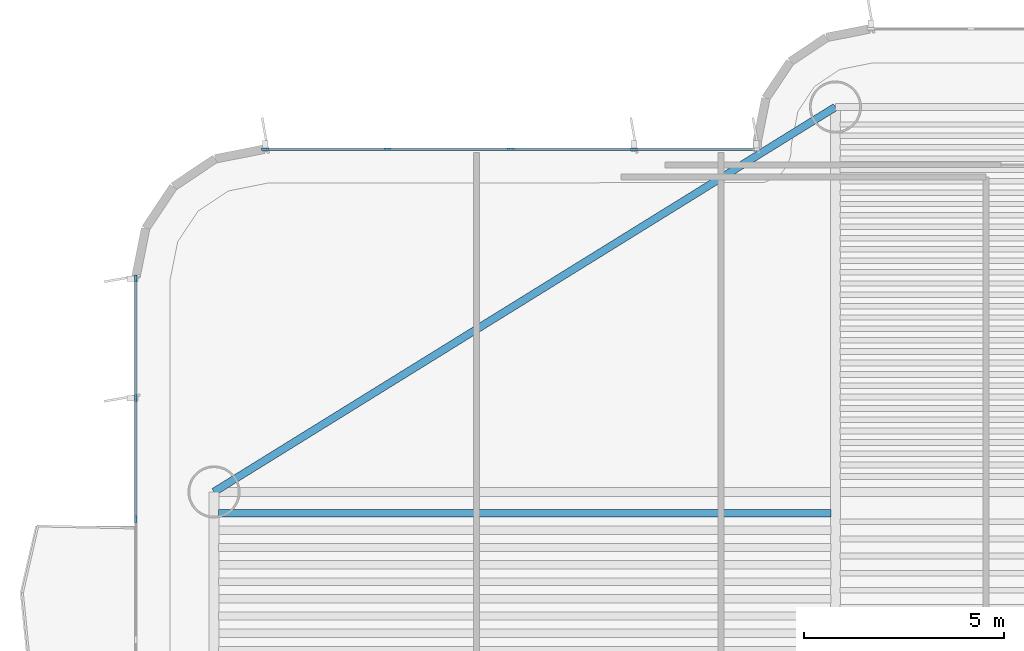
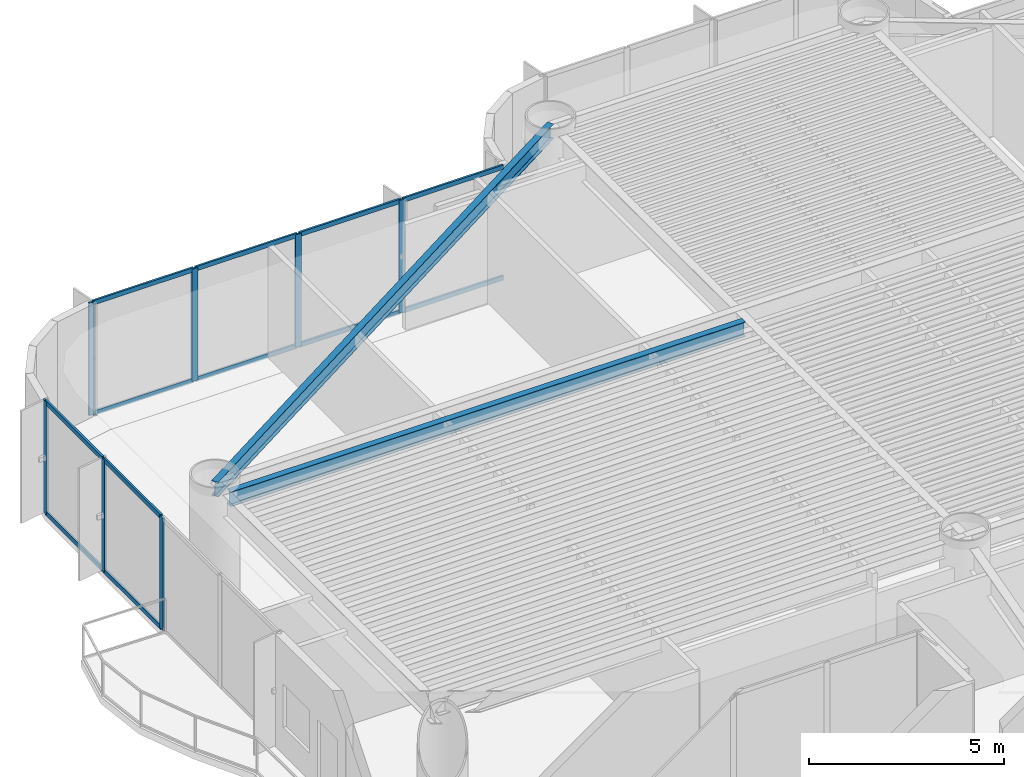
# One storey, part 5 of 16: 19 members, 2 beams, 2 elements without a shape of their own.
"""IFC4 building model written with IfcOpenShell, lengths in metres."""

from ifc_helpers import new_model, si_unit, direction, frame, origin, origin_2d, place, context, subcontext, project, spatial, rectangle, i_section, extrude, source, transform, mapped, material, layer, layer_set, material_profile, profile_set, type_object, element, aggregate, save


model = new_model("IFC4")

# Units and contexts
model_context = context("Model", 3, precision=1e-05, world=origin(), true_north=direction((0.0, 1.0)))
body_context = subcontext(model_context, "Body", "Model", "MODEL_VIEW")
ifc_project = project(units=[si_unit("LENGTHUNIT", "METRE"), si_unit("AREAUNIT", "SQUARE_METRE"), si_unit("VOLUMEUNIT", "CUBIC_METRE"), si_unit("PLANEANGLEUNIT", "RADIAN"), si_unit("MASSUNIT", "GRAM", prefix="KILO")], contexts=[model_context])

# Site, building, storey
site_placement = place(None, origin())
site = spatial("IfcSite", under=ifc_project, at=site_placement, CompositionType="ELEMENT")
building_placement = place(site_placement, origin())
building = spatial("IfcBuilding", under=site, at=building_placement, Name="Brelvock Crest Care Tower", CompositionType="ELEMENT")
storey_placement = place(building_placement, frame((0.0, 0.0, 108.719970703125)))
storey = spatial("IfcBuildingStorey", under=building, at=storey_placement, Name="L27", CompositionType="ELEMENT", Elevation=108.719970703125)

# Beams
ifc_material_1 = material(Name="Steel Grade 350", Category="steel")
ifc_material_profile_1 = material_profile(ifc_material_1, i_section(OverallWidth=0.19091796875, OverallDepth=0.4599609375, WebThickness=0.010009765625, FlangeThickness=0.01611328125, FilletRadius=0.011474609375, at=origin_2d()), Name="460UB82.1")
ifc_profile_set_1 = profile_set([ifc_material_profile_1], Name="Steel Grade 350")
beam_type_1 = type_object("IfcBeamType", Name="BM-G3", PredefinedType="BEAM", material=ifc_profile_set_1)
shared_shape_1 = source(origin(), body_context, "Body", "SweptSolid", [
    extrude(i_section(OverallWidth=0.19091796875, OverallDepth=0.4599609375, WebThickness=0.010009765625, FlangeThickness=0.01611328125, FilletRadius=0.011474609375, at=origin_2d()), origin(), (0.0, 0.0, 1.0), 15.27001953125),
])
beam_1_placement = place(storey_placement, frame((15.965087890625, 38.317626953125, 3.300048828125), z_axis=(1.0, 0.0, 0.0), x_axis=(0.0, 1.0, 0.0)))
element("IfcBeam", 1, at=beam_1_placement, inside=storey, type_object=beam_type_1, Name="BM-JW-L27-26", PredefinedType="BEAM", context=body_context, shape_type="MappedRepresentation", body=[
    mapped(shared_shape_1, transform((0.0, 0.0, 0.0), x_axis=(1.0, 0.0, 0.0), y_axis=(0.0, 1.0, 0.0), z_axis=(0.0, 0.0, 1.0), scale=1.0)),
])
ifc_material_profile_2 = material_profile(ifc_material_1, i_section(OverallWidth=0.19091796875, OverallDepth=0.4599609375, WebThickness=0.010009765625, FlangeThickness=0.01611328125, FilletRadius=0.011474609375, at=origin_2d()), Name="460UB82.1")
ifc_profile_set_2 = profile_set([ifc_material_profile_2], Name="Steel Grade 350")
beam_type_2 = type_object("IfcBeamType", Name="BM-SP2", PredefinedType="SPANDREL", material=ifc_profile_set_2)
shared_shape_2 = source(origin(), body_context, "Body", "SweptSolid", [
    extrude(i_section(OverallWidth=0.19091796875, OverallDepth=0.4599609375, WebThickness=0.010009765625, FlangeThickness=0.01611328125, FilletRadius=0.011474609375, at=origin_2d()), origin(), (0.0, 0.0, 1.0), 18.23193359375),
])
beam_2_placement = place(storey_placement, frame((15.85009765625, 38.85009765625, 3.300048828125), z_axis=(0.85015183248, 0.526537616635, 0.0), x_axis=(-0.526537616635, 0.85015183248, 0.0)))
element("IfcBeam", 2, at=beam_2_placement, inside=storey, type_object=beam_type_2, Name="BM-TWR-L27-06", PredefinedType="SPANDREL", context=body_context, shape_type="MappedRepresentation", body=[
    mapped(shared_shape_2, transform((0.0, 0.0, 0.0), x_axis=(1.0, 0.0, 0.0), y_axis=(0.0, 1.0, 0.0), z_axis=(0.0, 0.0, 1.0), scale=1.0)),
])

# Curtain wall, members
ifc_material_2 = material(Name="Dark Glass Double Glazed Low-E", Category="glass")
ifc_layer = layer(ifc_material_2, 0.2099609375, Name="CWS-3")
ifc_layer_set = layer_set([ifc_layer], Name="Dark Glass Double Glazed Low-E")
curtain_wall_type = type_object("IfcCurtainWallType", Name="CWS-3", PredefinedType="NOTDEFINED", material=ifc_layer_set)
curtain_wall_1_placement = place(storey_placement, origin())
curtain_wall_1 = element("IfcCurtainWall", 3, at=curtain_wall_1_placement, inside=storey, type_object=curtain_wall_type, Name="L27 Curtain Wall E17B", PredefinedType="NOTDEFINED")
ifc_material_3 = material(Name="Aluminium 6063-T6", Category="aluminium")
ifc_material_profile_3 = material_profile(ifc_material_3, rectangle(XDim=0.06005859375, YDim=0.179931640625, at=origin_2d()), Name="ALU60x180")
ifc_profile_set_3 = profile_set([ifc_material_profile_3], Name="Aluminium 6063-T6")
member_type_1 = type_object("IfcMemberType", Name="CWM-2", PredefinedType="MULLION", material=ifc_profile_set_3)
shared_shape_3 = source(origin(), body_context, "Body", "SweptSolid", [
    extrude(rectangle(XDim=0.06005859375, YDim=0.179931640625, at=origin_2d()), origin(), (0.0, 0.0, 1.0), 3.530029296875),
])
member_1_placement = place(storey_placement, frame((13.89990234375, 38.175048828125, 0.0), z_axis=(0.0, 0.0, 1.0), x_axis=(-1.0, 0.0, 0.0)))
member_1 = element("IfcMember", 4, at=member_1_placement, type_object=member_type_1, Name="CW-3 mullion 3", PredefinedType="MULLION", context=body_context, shape_type="MappedRepresentation", body=[
    mapped(shared_shape_3, transform((0.0, 0.0, 0.0), x_axis=(1.0, 0.0, 0.0), y_axis=(0.0, 1.0, 0.0), z_axis=(0.0, 0.0, 1.0), scale=1.0)),
])
member_2_placement = place(storey_placement, frame((13.89990234375, 41.1875, 0.0), z_axis=(0.0, 0.0, 1.0), x_axis=(-1.0, 0.0, 0.0)))
member_2 = element("IfcMember", 5, at=member_2_placement, type_object=member_type_1, Name="CW-3 mullion 4", PredefinedType="MULLION", context=body_context, shape_type="MappedRepresentation", body=[
    mapped(shared_shape_3, transform((0.0, 0.0, 0.0), x_axis=(1.0, 0.0, 0.0), y_axis=(0.0, 1.0, 0.0), z_axis=(0.0, 0.0, 1.0), scale=1.0)),
])
member_3_placement = place(storey_placement, frame((13.89990234375, 44.169921875, 0.0), z_axis=(0.0, 0.0, 1.0), x_axis=(-1.0, 0.0, 0.0)))
member_3 = element("IfcMember", 6, at=member_3_placement, type_object=member_type_1, Name="CW-3 mullion 5", PredefinedType="MULLION", context=body_context, shape_type="MappedRepresentation", body=[
    mapped(shared_shape_3, transform((0.0, 0.0, 0.0), x_axis=(1.0, 0.0, 0.0), y_axis=(0.0, 1.0, 0.0), z_axis=(0.0, 0.0, 1.0), scale=1.0)),
])

curtain_wall_2_placement = place(storey_placement, origin())
curtain_wall_2 = element("IfcCurtainWall", 7, at=curtain_wall_2_placement, inside=storey, type_object=curtain_wall_type, Name="L27 Curtain Wall E22", PredefinedType="NOTDEFINED")
member_4_placement = place(storey_placement, frame((17.1298828125, 47.39990234375, 0.0), z_axis=(0.0, 0.0, 1.0), x_axis=(0.0, 1.0, 0.0)))
member_4 = element("IfcMember", 8, at=member_4_placement, type_object=member_type_1, Name="CW-3 mullion 1", PredefinedType="MULLION", context=body_context, shape_type="MappedRepresentation", body=[
    mapped(shared_shape_3, transform((0.0, 0.0, 0.0), x_axis=(1.0, 0.0, 0.0), y_axis=(0.0, 1.0, 0.0), z_axis=(0.0, 0.0, 1.0), scale=1.0)),
])
member_5_placement = place(storey_placement, frame((20.175048828125, 47.39990234375, 0.0), z_axis=(0.0, 0.0, 1.0), x_axis=(0.0, 1.0, 0.0)))
member_5 = element("IfcMember", 9, at=member_5_placement, type_object=member_type_1, Name="CW-3 mullion 2", PredefinedType="MULLION", context=body_context, shape_type="MappedRepresentation", body=[
    mapped(shared_shape_3, transform((0.0, 0.0, 0.0), x_axis=(1.0, 0.0, 0.0), y_axis=(0.0, 1.0, 0.0), z_axis=(0.0, 0.0, 1.0), scale=1.0)),
])
member_6_placement = place(storey_placement, frame((23.25, 47.39990234375, 0.0), z_axis=(0.0, 0.0, 1.0), x_axis=(0.0, 1.0, 0.0)))
member_6 = element("IfcMember", 10, at=member_6_placement, type_object=member_type_1, Name="CW-3 mullion 3", PredefinedType="MULLION", context=body_context, shape_type="MappedRepresentation", body=[
    mapped(shared_shape_3, transform((0.0, 0.0, 0.0), x_axis=(1.0, 0.0, 0.0), y_axis=(0.0, 1.0, 0.0), z_axis=(0.0, 0.0, 1.0), scale=1.0)),
])
member_7_placement = place(storey_placement, frame((26.324951171875, 47.39990234375, 0.0), z_axis=(0.0, 0.0, 1.0), x_axis=(0.0, 1.0, 0.0)))
member_7 = element("IfcMember", 11, at=member_7_placement, type_object=member_type_1, Name="CW-3 mullion 4", PredefinedType="MULLION", context=body_context, shape_type="MappedRepresentation", body=[
    mapped(shared_shape_3, transform((0.0, 0.0, 0.0), x_axis=(1.0, 0.0, 0.0), y_axis=(0.0, 1.0, 0.0), z_axis=(0.0, 0.0, 1.0), scale=1.0)),
])

# Member
ifc_material_profile_4 = material_profile(ifc_material_3, rectangle(XDim=0.06005859375, YDim=0.139892578125, at=origin_2d()), Name="ALU60x140")
ifc_profile_set_4 = profile_set([ifc_material_profile_4], Name="Aluminium 6063-T6")
member_type_2 = type_object("IfcMemberType", Name="CWT-2", PredefinedType="USERDEFINED", material=ifc_profile_set_4)
shared_shape_4 = source(origin(), body_context, "Body", "SweptSolid", [
    extrude(rectangle(XDim=0.06005859375, YDim=0.139892578125, at=origin_2d()), origin(), (0.0, 0.0, 1.0), 2.952392578125),
])
member_8_placement = place(storey_placement, frame((13.89990234375, 38.205078125, 0.030029296875), z_axis=(0.0, 1.0, 0.0), x_axis=(-1.0, 0.0, 0.0)))
member_8 = element("IfcMember", 12, at=member_8_placement, type_object=member_type_2, Name="CW-3 transom 3.1", ObjectType="TRANSOM", PredefinedType="USERDEFINED", context=body_context, shape_type="MappedRepresentation", body=[
    mapped(shared_shape_4, transform((0.0, 0.0, 0.0), x_axis=(1.0, 0.0, 0.0), y_axis=(0.0, 1.0, 0.0), z_axis=(0.0, 0.0, 1.0), scale=1.0)),
])

member_9_placement = place(storey_placement, frame((13.89990234375, 38.205078125, 3.5), z_axis=(0.0, 1.0, 0.0), x_axis=(-1.0, 0.0, 0.0)))
member_9 = element("IfcMember", 13, at=member_9_placement, type_object=member_type_2, Name="CW-3 transom 3.2", ObjectType="TRANSOM", PredefinedType="USERDEFINED", context=body_context, shape_type="MappedRepresentation", body=[
    mapped(shared_shape_4, transform((0.0, 0.0, 0.0), x_axis=(1.0, 0.0, 0.0), y_axis=(0.0, 1.0, 0.0), z_axis=(0.0, 0.0, 1.0), scale=1.0)),
])

shared_shape_5 = source(origin(), body_context, "Body", "SweptSolid", [
    extrude(rectangle(XDim=0.06005859375, YDim=0.139892578125, at=origin_2d()), origin(), (0.0, 0.0, 1.0), 2.92236328125),
])
member_10_placement = place(storey_placement, frame((13.89990234375, 41.217529296875, 0.030029296875), z_axis=(0.0, 1.0, 0.0), x_axis=(-1.0, 0.0, 0.0)))
member_10 = element("IfcMember", 14, at=member_10_placement, type_object=member_type_2, Name="CW-3 transom 4.1", ObjectType="TRANSOM", PredefinedType="USERDEFINED", context=body_context, shape_type="MappedRepresentation", body=[
    mapped(shared_shape_5, transform((0.0, 0.0, 0.0), x_axis=(1.0, 0.0, 0.0), y_axis=(0.0, 1.0, 0.0), z_axis=(0.0, 0.0, 1.0), scale=1.0)),
])

member_11_placement = place(storey_placement, frame((13.89990234375, 41.217529296875, 3.5), z_axis=(0.0, 1.0, 0.0), x_axis=(-1.0, 0.0, 0.0)))
member_11 = element("IfcMember", 15, at=member_11_placement, type_object=member_type_2, Name="CW-3 transom 4.2", ObjectType="TRANSOM", PredefinedType="USERDEFINED", context=body_context, shape_type="MappedRepresentation", body=[
    mapped(shared_shape_5, transform((0.0, 0.0, 0.0), x_axis=(1.0, 0.0, 0.0), y_axis=(0.0, 1.0, 0.0), z_axis=(0.0, 0.0, 1.0), scale=1.0)),
])

aggregate(curtain_wall_1, [member_1, member_2, member_3, member_8, member_9, member_10, member_11])

shared_shape_6 = source(origin(), body_context, "Body", "SweptSolid", [
    extrude(rectangle(XDim=0.06005859375, YDim=0.139892578125, at=origin_2d()), origin(), (0.0, 0.0, 1.0), 2.985107421875),
])
member_12_placement = place(storey_placement, frame((17.159912109375, 47.39990234375, 0.030029296875), z_axis=(1.0, 0.0, 0.0), x_axis=(0.0, 1.0, 0.0)))
member_12 = element("IfcMember", 16, at=member_12_placement, type_object=member_type_2, Name="CW-3 transom 1.1", ObjectType="TRANSOM", PredefinedType="USERDEFINED", context=body_context, shape_type="MappedRepresentation", body=[
    mapped(shared_shape_6, transform((0.0, 0.0, 0.0), x_axis=(1.0, 0.0, 0.0), y_axis=(0.0, 1.0, 0.0), z_axis=(0.0, 0.0, 1.0), scale=1.0)),
])

member_13_placement = place(storey_placement, frame((17.159912109375, 47.39990234375, 3.5), z_axis=(1.0, 0.0, 0.0), x_axis=(0.0, 1.0, 0.0)))
member_13 = element("IfcMember", 17, at=member_13_placement, type_object=member_type_2, Name="CW-3 transom 1.2", ObjectType="TRANSOM", PredefinedType="USERDEFINED", context=body_context, shape_type="MappedRepresentation", body=[
    mapped(shared_shape_6, transform((0.0, 0.0, 0.0), x_axis=(1.0, 0.0, 0.0), y_axis=(0.0, 1.0, 0.0), z_axis=(0.0, 0.0, 1.0), scale=1.0)),
])

member_14_placement = place(storey_placement, frame((26.35498046875, 47.39990234375, 0.030029296875), z_axis=(1.0, 0.0, 0.0), x_axis=(0.0, 1.0, 0.0)))
member_14 = element("IfcMember", 18, at=member_14_placement, type_object=member_type_2, Name="CW-3 transom 4.1", ObjectType="TRANSOM", PredefinedType="USERDEFINED", context=body_context, shape_type="MappedRepresentation", body=[
    mapped(shared_shape_6, transform((0.0, 0.0, 0.0), x_axis=(1.0, 0.0, 0.0), y_axis=(0.0, 1.0, 0.0), z_axis=(0.0, 0.0, 1.0), scale=1.0)),
])

member_15_placement = place(storey_placement, frame((26.35498046875, 47.39990234375, 3.5), z_axis=(1.0, 0.0, 0.0), x_axis=(0.0, 1.0, 0.0)))
member_15 = element("IfcMember", 19, at=member_15_placement, type_object=member_type_2, Name="CW-3 transom 4.2", ObjectType="TRANSOM", PredefinedType="USERDEFINED", context=body_context, shape_type="MappedRepresentation", body=[
    mapped(shared_shape_6, transform((0.0, 0.0, 0.0), x_axis=(1.0, 0.0, 0.0), y_axis=(0.0, 1.0, 0.0), z_axis=(0.0, 0.0, 1.0), scale=1.0)),
])

shared_shape_7 = source(origin(), body_context, "Body", "SweptSolid", [
    extrude(rectangle(XDim=0.06005859375, YDim=0.139892578125, at=origin_2d()), origin(), (0.0, 0.0, 1.0), 3.014892578125),
])
member_16_placement = place(storey_placement, frame((20.205078125, 47.39990234375, 0.030029296875), z_axis=(1.0, 0.0, 0.0), x_axis=(0.0, 1.0, 0.0)))
member_16 = element("IfcMember", 20, at=member_16_placement, type_object=member_type_2, Name="CW-3 transom 2.1", ObjectType="TRANSOM", PredefinedType="USERDEFINED", context=body_context, shape_type="MappedRepresentation", body=[
    mapped(shared_shape_7, transform((0.0, 0.0, 0.0), x_axis=(1.0, 0.0, 0.0), y_axis=(0.0, 1.0, 0.0), z_axis=(0.0, 0.0, 1.0), scale=1.0)),
])

member_17_placement = place(storey_placement, frame((20.205078125, 47.39990234375, 3.5), z_axis=(1.0, 0.0, 0.0), x_axis=(0.0, 1.0, 0.0)))
member_17 = element("IfcMember", 21, at=member_17_placement, type_object=member_type_2, Name="CW-3 transom 2.2", ObjectType="TRANSOM", PredefinedType="USERDEFINED", context=body_context, shape_type="MappedRepresentation", body=[
    mapped(shared_shape_7, transform((0.0, 0.0, 0.0), x_axis=(1.0, 0.0, 0.0), y_axis=(0.0, 1.0, 0.0), z_axis=(0.0, 0.0, 1.0), scale=1.0)),
])

member_18_placement = place(storey_placement, frame((23.280029296875, 47.39990234375, 0.030029296875), z_axis=(1.0, 0.0, 0.0), x_axis=(0.0, 1.0, 0.0)))
member_18 = element("IfcMember", 22, at=member_18_placement, type_object=member_type_2, Name="CW-3 transom 3.1", ObjectType="TRANSOM", PredefinedType="USERDEFINED", context=body_context, shape_type="MappedRepresentation", body=[
    mapped(shared_shape_7, transform((0.0, 0.0, 0.0), x_axis=(1.0, 0.0, 0.0), y_axis=(0.0, 1.0, 0.0), z_axis=(0.0, 0.0, 1.0), scale=1.0)),
])

member_19_placement = place(storey_placement, frame((23.280029296875, 47.39990234375, 3.5), z_axis=(1.0, 0.0, 0.0), x_axis=(0.0, 1.0, 0.0)))
member_19 = element("IfcMember", 23, at=member_19_placement, type_object=member_type_2, Name="CW-3 transom 3.2", ObjectType="TRANSOM", PredefinedType="USERDEFINED", context=body_context, shape_type="MappedRepresentation", body=[
    mapped(shared_shape_7, transform((0.0, 0.0, 0.0), x_axis=(1.0, 0.0, 0.0), y_axis=(0.0, 1.0, 0.0), z_axis=(0.0, 0.0, 1.0), scale=1.0)),
])

aggregate(curtain_wall_2, [member_4, member_5, member_6, member_7, member_12, member_13, member_16, member_17, member_18, member_19, member_14, member_15])

save(model, "model.ifc")
